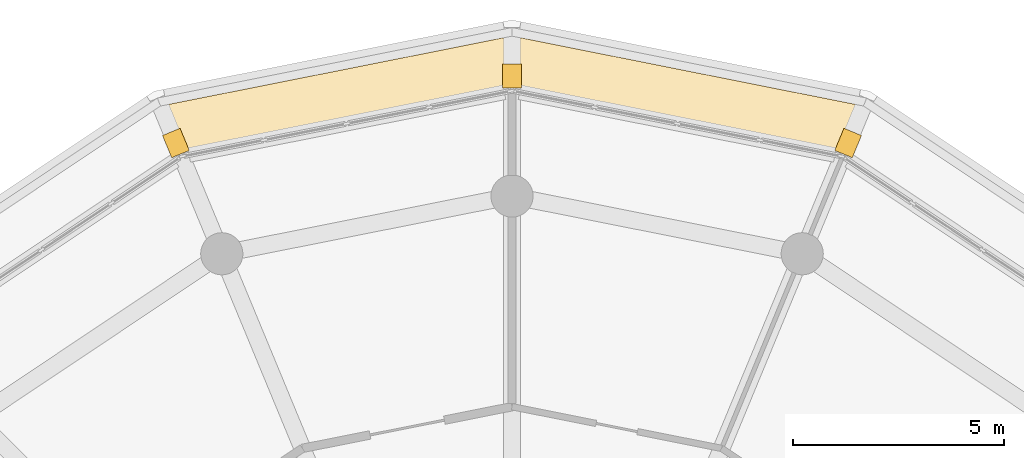
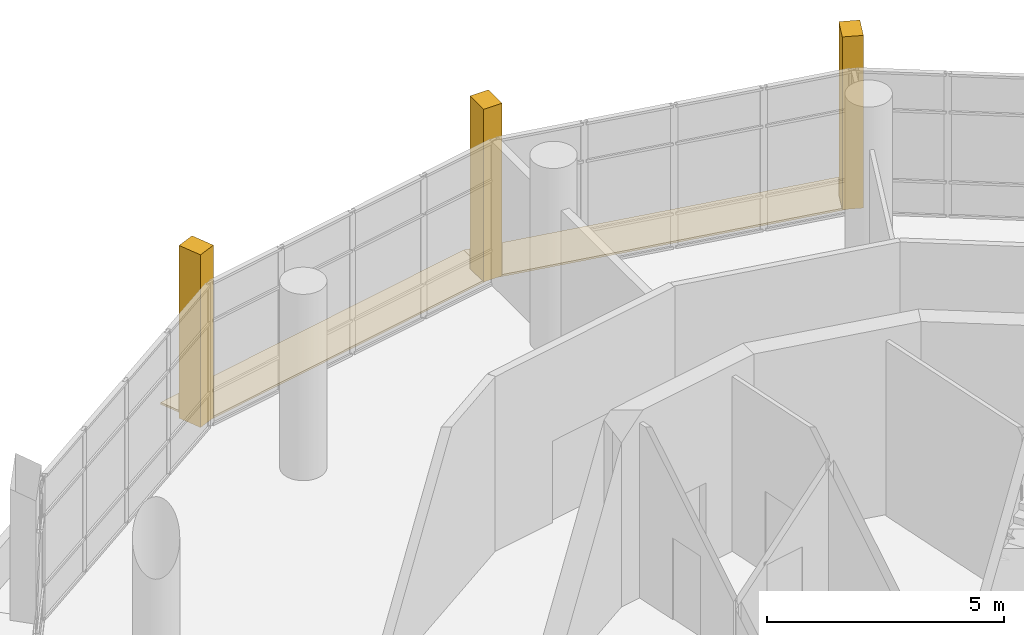
# One storey, part 40 of 40: 5 coverings.
"""IFC4 building model written with IfcOpenShell, lengths in metres."""

from ifc_helpers import new_model, si_unit, direction, frame, origin, origin_2d, place, context, subcontext, project, spatial, polyline, rectangle, outline, extrude, material, layer, layer_set, type_object, element, save


model = new_model("IFC4")

# Units and contexts
model_context = context("Model", 3, precision=1e-05, world=origin(), true_north=direction((0.0, 1.0)))
body_context = subcontext(model_context, "Body", "Model", "MODEL_VIEW")
ifc_project = project(units=[si_unit("LENGTHUNIT", "METRE"), si_unit("AREAUNIT", "SQUARE_METRE"), si_unit("VOLUMEUNIT", "CUBIC_METRE"), si_unit("PLANEANGLEUNIT", "RADIAN"), si_unit("MASSUNIT", "GRAM", prefix="KILO")], contexts=[model_context])

# Site, building, storey
site_placement = place(None, origin())
site = spatial("IfcSite", under=ifc_project, at=site_placement, CompositionType="ELEMENT")
building_placement = place(site_placement, origin())
building = spatial("IfcBuilding", under=site, at=building_placement, Name="Ceibo Conservatory and Research Tower", CompositionType="ELEMENT")
storey_placement = place(building_placement, frame((0.0, 0.0, 6.0)))
storey = spatial("IfcBuildingStorey", under=building, at=storey_placement, Name="L01", CompositionType="ELEMENT", Elevation=6.0)

# Coverings
ifc_material_1 = material(Name="Concrete C35/45", Category="concrete")
covering_type_1 = type_object("IfcCoveringType", Name="Precast concrete pier 450x550", PredefinedType="CLADDING", material=ifc_material_1)
for number, where, z_axis, x_axis, name in (
    (1, (55.9775390625, 139.259765625, 0.0498046875), (0.0, 0.0, 1.0), (0.382683432365, 0.923879532511, 0.0), "Precast pier 01.04"),
    (2, (48.0, 140.8466796875, 0.0498046875), (0.0, 0.0, 1.0), (0.0, 1.0, 0.0), "Precast pier 01.05"),
    (3, (40.0224609375, 139.259765625, 0.0498046875), (0.0, 0.0, 1.0), (-0.382683432365, 0.923879532511, 0.0), "Precast pier 01.06"),
):
    element("IfcCovering", number, at=place(storey_placement, frame(where, z_axis=z_axis, x_axis=x_axis)), inside=storey, type_object=covering_type_1, Name=name, PredefinedType="CLADDING", context=body_context, shape_type="SweptSolid", body=[
        extrude(rectangle(XDim=0.570068359375, YDim=0.449951171875, at=origin_2d()), origin(), (0.0, 0.0, 1.0), 4.449951171875),
    ])
ifc_material_2 = material(Name="Bituminous membrane")
ifc_layer_1 = layer(ifc_material_2, 0.006103515625, Name="Cap sheet")
ifc_layer_2 = layer(ifc_material_2, 0.00390625, Name="Base sheet")
ifc_material_3 = material(Name="Rigid insulation")
ifc_layer_3 = layer(ifc_material_3, 0.0400390625, Name="Insulation")
ifc_layer_set = layer_set([ifc_layer_1, ifc_layer_2, ifc_layer_3], Name="Bituminous membrane")
covering_type_2 = type_object("IfcCoveringType", Name="Roofing membrane 50", PredefinedType="ROOFING", material=ifc_layer_set)
covering_1_placement = place(storey_placement, origin())
element("IfcCovering", 4, at=covering_1_placement, inside=storey, type_object=covering_type_2, Name="Roof covering L01 4", PredefinedType="ROOFING", context=body_context, shape_type="SweptSolid", body=[
    extrude(outline(polyline([(56.341064453125, 140.136962890625), (48.0, 141.796142578125), (48.0, 140.65283203125), (55.903564453125, 139.080810546875), (56.341064453125, 140.136962890625)])), origin(), (0.0, 0.0, 1.0), 0.050048828125),
])
covering_2_placement = place(storey_placement, origin())
element("IfcCovering", 5, at=covering_2_placement, inside=storey, type_object=covering_type_2, Name="Roof covering L01 5", PredefinedType="ROOFING", context=body_context, shape_type="SweptSolid", body=[
    extrude(outline(polyline([(48.0, 141.796142578125), (39.658935546875, 140.136962890625), (40.096435546875, 139.080810546875), (48.0, 140.65283203125), (48.0, 141.796142578125)])), origin(), (0.0, 0.0, 1.0), 0.050048828125),
])

save(model, "model.ifc")
